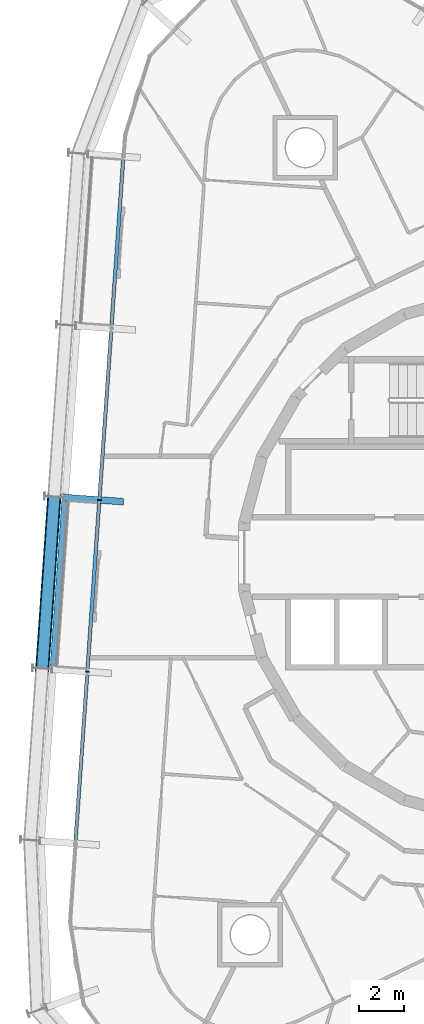
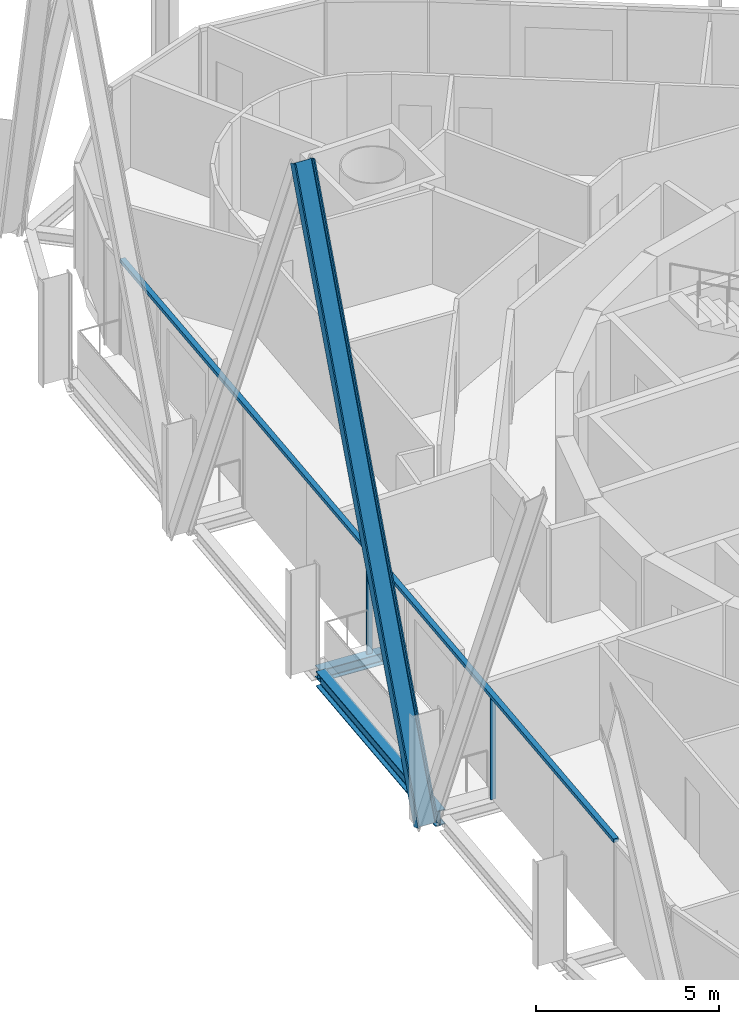
# One storey, part 4 of 18: 4 members, 2 beams, 1 element without a shape of its own.
"""IFC4 building model written with IfcOpenShell, lengths in metres."""

from ifc_helpers import new_model, si_unit, direction, frame, origin, origin_2d, place, context, subcontext, project, spatial, rectangle, i_section, extrude, material, layer, layer_set, material_profile, profile_set, type_object, element, aggregate, save


model = new_model("IFC4")

# Units and contexts
model_context = context("Model", 3, precision=1e-05, world=origin(), true_north=direction((0.0, 1.0)))
body_context = subcontext(model_context, "Body", "Model", "MODEL_VIEW")
ifc_project = project(units=[si_unit("LENGTHUNIT", "METRE"), si_unit("AREAUNIT", "SQUARE_METRE"), si_unit("VOLUMEUNIT", "CUBIC_METRE"), si_unit("PLANEANGLEUNIT", "RADIAN"), si_unit("MASSUNIT", "GRAM", prefix="KILO")], contexts=[model_context])

# Site, building, storey
site_placement = place(None, origin())
site = spatial("IfcSite", under=ifc_project, at=site_placement, CompositionType="ELEMENT")
building_placement = place(site_placement, origin())
building = spatial("IfcBuilding", under=site, at=building_placement, Name="Spindle Arch Residences", CompositionType="ELEMENT")
storey_placement = place(building_placement, frame((0.0, 0.0, 202.39990234375)))
storey = spatial("IfcBuildingStorey", under=building, at=storey_placement, Name="L51", CompositionType="ELEMENT", Elevation=202.39990234375)

# Curtain wall, members
ifc_material_1 = material(Name="Aluminium bronze unitised frame with tinted glass", Category="aluminium")
ifc_layer = layer(ifc_material_1, 0.159912109375)
ifc_layer_set = layer_set([ifc_layer], Name="CW-C typical residential unitised wall")
curtain_wall_type = type_object("IfcCurtainWallType", Name="CW-C typical residential unitised wall", PredefinedType="NOTDEFINED", material=ifc_layer_set)
curtain_wall_placement = place(storey_placement, origin())
curtain_wall = element("IfcCurtainWall", 1, at=curtain_wall_placement, inside=storey, type_object=curtain_wall_type, Name="CW-C L51 run 4", PredefinedType="NOTDEFINED")
ifc_material_2 = material(Name="Aluminium bronze anodised mullion", Category="aluminium")
ifc_material_profile_1 = material_profile(ifc_material_2, rectangle(XDim=0.159912109375, YDim=0.06005859375, at=origin_2d()), Name="MU 60x160")
ifc_profile_set_1 = profile_set([ifc_material_profile_1], Name="Aluminium bronze anodised mullion")
member_type_1 = type_object("IfcMemberType", Name="Bronze mullion 60x160", PredefinedType="MULLION", material=ifc_profile_set_1)
member_1_placement = place(storey_placement, frame((-18.126708984375, 2.552978515625, -0.3798828125), z_axis=(0.0, 0.0, 1.0), x_axis=(0.99756405026, -0.069756473744, 0.0)))
member_1 = element("IfcMember", 2, at=member_1_placement, type_object=member_type_1, Name="CW-C mullion 14", PredefinedType="MULLION", context=body_context, shape_type="SweptSolid", body=[
    extrude(rectangle(XDim=0.159912109375, YDim=0.06005859375, at=origin_2d()), origin(), (0.0, 0.0, 1.0), 3.3798828125),
])
member_2_placement = place(storey_placement, frame((-18.66357421875, -5.1220703125, -0.3798828125), z_axis=(0.0, 0.0, 1.0), x_axis=(0.99756405026, -0.069756473744, 0.0)))
member_2 = element("IfcMember", 3, at=member_2_placement, type_object=member_type_1, Name="CW-C mullion 15", PredefinedType="MULLION", context=body_context, shape_type="SweptSolid", body=[
    extrude(rectangle(XDim=0.159912109375, YDim=0.06005859375, at=origin_2d()), origin(), (0.0, 0.0, 1.0), 3.3798828125),
])
ifc_material_3 = material(Name="Aluminium bronze anodised transom", Category="aluminium")
ifc_material_profile_2 = material_profile(ifc_material_3, rectangle(XDim=0.159912109375, YDim=0.1201171875, at=origin_2d()), Name="TR 120x160")
ifc_profile_set_2 = profile_set([ifc_material_profile_2], Name="Aluminium bronze anodised transom")
member_type_2 = type_object("IfcMemberType", Name="Bronze transom 120x160", PredefinedType="USERDEFINED", material=ifc_profile_set_2)
member_3_placement = place(storey_placement, frame((-17.0556640625, 17.873046875, 3.06005859375), z_axis=(-0.069748921728, -0.997564578319, 0.0), x_axis=(0.997564578319, -0.069748921728, 0.0)))
member_3 = element("IfcMember", 4, at=member_3_placement, type_object=member_type_2, Name="CW-C transom 00", ObjectType="TRANSOM", PredefinedType="USERDEFINED", context=body_context, shape_type="SweptSolid", body=[
    extrude(rectangle(XDim=0.159912109375, YDim=0.1201171875, at=origin_2d()), origin(), (0.0, 0.0, 1.0), 30.71484375),
])
aggregate(curtain_wall, [member_3, member_1, member_2])

# Member
ifc_material_4 = material(Name="Steel S460ML, intumescent coating R 240", Category="steel")
ifc_material_profile_3 = material_profile(ifc_material_4, i_section(OverallWidth=0.304931640625, OverallDepth=0.6201171875, WebThickness=0.02099609375, FlangeThickness=0.0400390625, FilletRadius=0.027099609375, at=origin_2d()), Name="HEM 600")
ifc_profile_set_3 = profile_set([ifc_material_profile_3], Name="Steel S460ML, intumescent coating R 240")
member_type_3 = type_object("IfcMemberType", Name="Diagrid diagonal HEM 600", PredefinedType="BRACE", material=ifc_profile_set_3)
member_4_placement = place(storey_placement, frame((-20.6787109375, -4.981201171875, -0.6298828125), z_axis=(0.028392083964, 0.405894471844, 0.913478826955), x_axis=(-0.063741565594, -0.911252204447, 0.406886265074)))
element("IfcMember", 5, at=member_4_placement, inside=storey, type_object=member_type_3, Name="Diagrid diagonal 5.2.15", PredefinedType="BRACE", context=body_context, shape_type="SweptSolid", body=[
    extrude(i_section(OverallWidth=0.304931640625, OverallDepth=0.6201171875, WebThickness=0.02099609375, FlangeThickness=0.0400390625, FilletRadius=0.027099609375, at=origin_2d()), origin(), (0.0, 0.0, 1.0), 18.908935546875),
])

# Beams
ifc_material_5 = material(Name="Steel S460ML, intumescent coating R 120", Category="steel")
ifc_material_profile_4 = material_profile(ifc_material_5, i_section(OverallWidth=0.300048828125, OverallDepth=0.5, WebThickness=0.014404296875, FlangeThickness=0.028076171875, FilletRadius=0.027099609375, at=origin_2d()), Name="HEB 500")
ifc_profile_set_4 = profile_set([ifc_material_profile_4], Name="Steel S460ML, intumescent coating R 120")
beam_type_1 = type_object("IfcBeamType", Name="Exoskeleton edge beam HEB 500", PredefinedType="BEAM", material=ifc_profile_set_4)
beam_1_placement = place(storey_placement, frame((-19.662109375, 2.530029296875, -0.6298828125), z_axis=(-0.069757879566, -0.997563951954, 0.0), x_axis=(0.997563951954, -0.069757879566, 0.0)))
element("IfcBeam", 6, at=beam_1_placement, inside=storey, type_object=beam_type_1, Name="Exoskeleton edge beam 15", PredefinedType="BEAM", context=body_context, shape_type="SweptSolid", body=[
    extrude(i_section(OverallWidth=0.300048828125, OverallDepth=0.5, WebThickness=0.014404296875, FlangeThickness=0.028076171875, FilletRadius=0.027099609375, at=origin_2d()), origin(), (0.0, 0.0, 1.0), 7.43359375),
])
ifc_material_6 = material(Name="Steel S460ML, intumescent coating R 120", Category="steel")
ifc_material_profile_5 = material_profile(ifc_material_6, i_section(OverallWidth=0.300048828125, OverallDepth=0.389892578125, WebThickness=0.010986328125, FlangeThickness=0.01904296875, FilletRadius=0.027099609375, at=origin_2d()), Name="HEA 400")
ifc_profile_set_5 = profile_set([ifc_material_profile_5], Name="Steel S460ML, intumescent coating R 120")
beam_type_2 = type_object("IfcBeamType", Name="Floor outrigger HEA 400", PredefinedType="BEAM", material=ifc_profile_set_5)
beam_2_placement = place(storey_placement, frame((-19.693115234375, 2.66259765625, -0.574951171875), z_axis=(0.997565124092, -0.069741115528, 0.0), x_axis=(0.069741115528, 0.997565124092, 0.0)))
element("IfcBeam", 7, at=beam_2_placement, inside=storey, type_object=beam_type_2, Name="Floor outrigger 15", PredefinedType="BEAM", context=body_context, shape_type="SweptSolid", body=[
    extrude(i_section(OverallWidth=0.300048828125, OverallDepth=0.389892578125, WebThickness=0.010986328125, FlangeThickness=0.01904296875, FilletRadius=0.027099609375, at=origin_2d()), origin(), (0.0, 0.0, 1.0), 2.64990234375),
])

save(model, "model.ifc")
